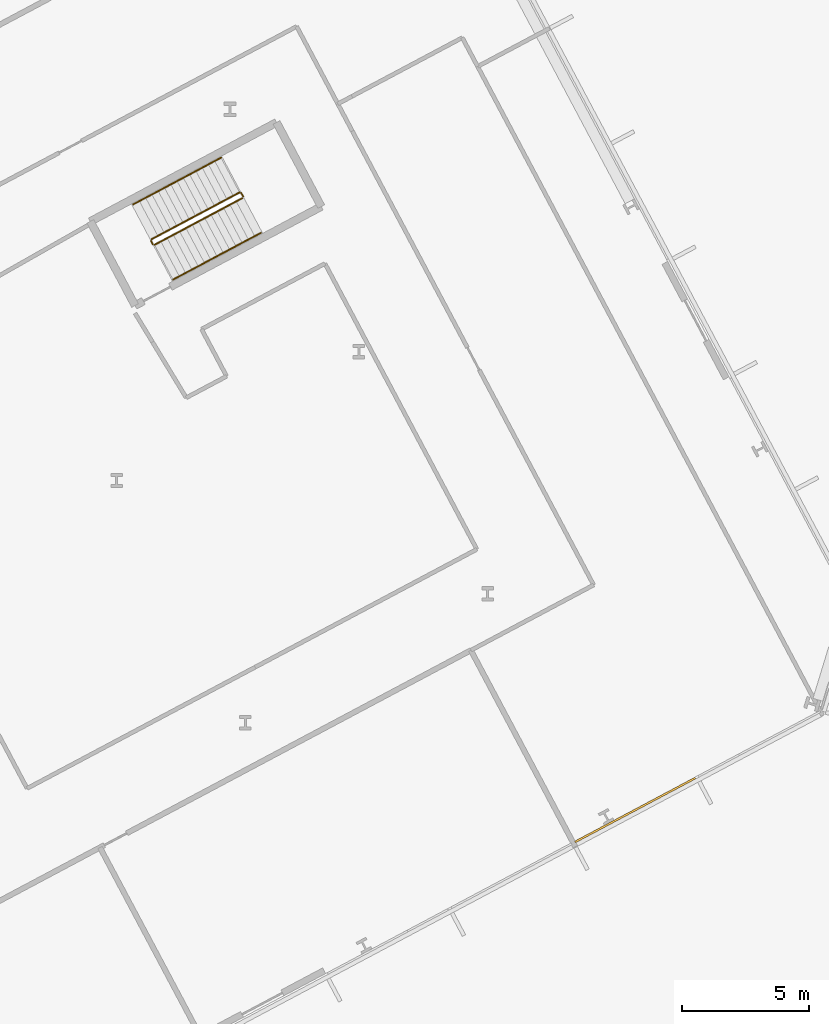
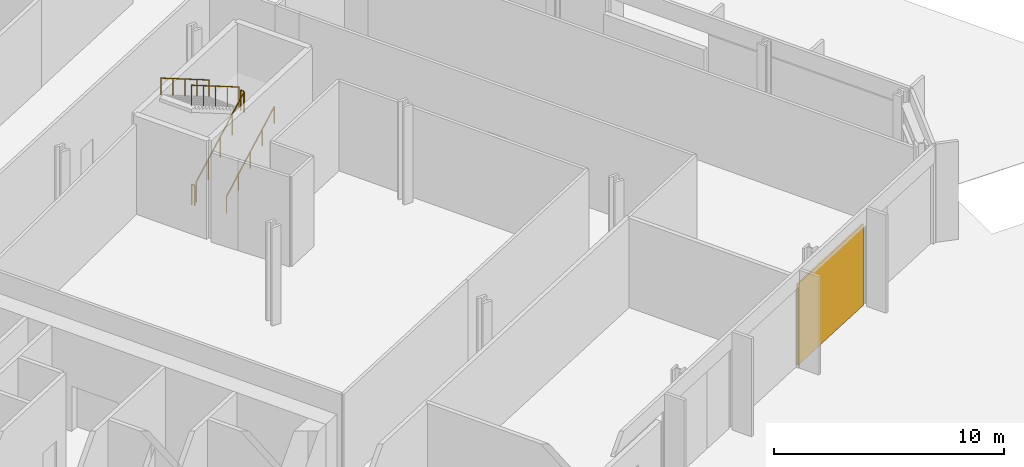
# One storey, part 29 of 30: 6 railings, 1 covering, 1 element without a shape of its own.
"""IFC4 building model written with IfcOpenShell, lengths in metres."""

from ifc_helpers import new_model, si_unit, direction, frame, origin, origin_2d, place, context, subcontext, project, spatial, polyline, rectangle, outline, extrude, material, layer, layer_set, type_object, element, aggregate, save


model = new_model("IFC4")

# Units and contexts
model_context = context("Model", 3, precision=1e-05, world=origin(), true_north=direction((0.0, 1.0)))
body_context = subcontext(model_context, "Body", "Model", "MODEL_VIEW")
ifc_project = project(units=[si_unit("LENGTHUNIT", "METRE"), si_unit("AREAUNIT", "SQUARE_METRE"), si_unit("VOLUMEUNIT", "CUBIC_METRE"), si_unit("PLANEANGLEUNIT", "RADIAN"), si_unit("MASSUNIT", "GRAM", prefix="KILO")], contexts=[model_context])

# Site, building, storey
site_placement = place(None, origin())
site = spatial("IfcSite", under=ifc_project, at=site_placement, CompositionType="ELEMENT")
building_placement = place(site_placement, origin())
building = spatial("IfcBuilding", under=site, at=building_placement, Name="Cormorant Relay Tower", CompositionType="ELEMENT")
storey_placement = place(building_placement, frame((0.0, 0.0, 7.0)))
storey = spatial("IfcBuildingStorey", under=building, at=storey_placement, Name="L01", CompositionType="ELEMENT", Elevation=7.0)

# Curtain wall, covering
ifc_material_1 = material(Name="Aluminium 6063-T6 anodised bronze", Category="aluminium")
ifc_layer_1 = layer(ifc_material_1, 0.235107421875)
ifc_layer_set_1 = layer_set([ifc_layer_1], Name="CW6 data hall curtain wall with mineral wool panels")
curtain_wall_type = type_object("IfcCurtainWallType", Name="CW6 data hall curtain wall with mineral wool panels", PredefinedType="NOTDEFINED", material=ifc_layer_set_1)
curtain_wall_placement = place(storey_placement, origin())
curtain_wall = element("IfcCurtainWall", 1, at=curtain_wall_placement, inside=storey, type_object=curtain_wall_type, Name="CW6 curtain wall 2", PredefinedType="NOTDEFINED")
ifc_material_2 = material(Name="Mineral wool cored anodised bronze aluminium cassette panel", Category="aluminium")
ifc_layer_2 = layer(ifc_material_2, 0.074951171875)
ifc_layer_set_2 = layer_set([ifc_layer_2], Name="CW6 mineral wool cassette panel 75")
covering_type = type_object("IfcCoveringType", Name="CW6 mineral wool cassette panel 75", PredefinedType="CLADDING", material=ifc_layer_set_2)
covering_placement = place(storey_placement, frame((63.5, 9.93701171875, 0.0), z_axis=(0.0, 0.0, 1.0), x_axis=(0.882947592859, 0.469471562786, 0.0)))
covering = element("IfcCovering", 2, at=covering_placement, type_object=covering_type, Name="CW6 panel S13", PredefinedType="CLADDING", context=body_context, shape_type="SweptSolid", body=[
    extrude(rectangle(XDim=5.36181640625, YDim=0.074951171875, at=origin_2d()), origin(), (0.0, 0.0, 1.0), 4.300048828125),
])
aggregate(curtain_wall, [covering])

# Railings
ifc_material_3 = material(Name="Steel ASTM A572 Grade 50 (Fy 345 MPa)", Category="steel")
railing_type_1 = type_object("IfcRailingType", Name="Stair guard 1100", PredefinedType="GUARDRAIL", material=ifc_material_3)
railing_1_placement = place(storey_placement, frame((44.583740234375, 32.186279296875, 0.17333984375)))
element("IfcRailing", 3, at=railing_1_placement, inside=storey, type_object=railing_type_1, Name="L01 RB1 stair guard 1", PredefinedType="GUARDRAIL", context=body_context, shape_type="SweptSolid", body=[
    extrude(outline(polyline([(0.022216796875, 0.00927734375), (0.00927734375, 0.022216796875), (-0.00927734375, 0.022216796875), (-0.022216796875, 0.00927734375), (-0.022216796875, -0.00927734375), (-0.00927734375, -0.022216796875), (0.00927734375, -0.022216796875), (0.022216796875, -0.00927734375), (0.022216796875, 0.00927734375)])), frame((0.0, 0.0, 1.076171875), z_axis=(0.750734087475, 0.399170032545, 0.526366426571), x_axis=(-0.469469396681, 0.882948744594, 0.0)), (0.0, 0.0, 1.0), 4.6103515625),
    extrude(outline(polyline([(0.019287109375, 0.008056640625), (0.008056640625, 0.019287109375), (-0.008056640625, 0.019287109375), (-0.019287109375, 0.008056640625), (-0.019287109375, -0.008056640625), (-0.008056640625, -0.019287109375), (0.008056640625, -0.019287109375), (0.019287109375, -0.008056640625), (0.019287109375, 0.008056640625)])), origin(), (0.0, 0.0, 1.0), 1.052001953125),
    extrude(outline(polyline([(0.019287109375, 0.008056640625), (0.008056640625, 0.019287109375), (-0.008056640625, 0.019287109375), (-0.019287109375, 0.008056640625), (-0.019287109375, -0.008056640625), (-0.008056640625, -0.019287109375), (0.008056640625, -0.019287109375), (0.019287109375, -0.008056640625), (0.019287109375, 0.008056640625)])), frame((0.865234375, 0.4599609375, 0.606689453125)), (0.0, 0.0, 1.0), 1.052001953125),
    extrude(outline(polyline([(0.019287109375, 0.008056640625), (0.008056640625, 0.019287109375), (-0.008056640625, 0.019287109375), (-0.019287109375, 0.008056640625), (-0.019287109375, -0.008056640625), (-0.008056640625, -0.019287109375), (0.008056640625, -0.019287109375), (0.019287109375, -0.008056640625), (0.019287109375, 0.008056640625)])), frame((1.73046875, 0.920166015625, 1.21337890625)), (0.0, 0.0, 1.0), 1.052001953125),
    extrude(outline(polyline([(0.019287109375, 0.008056640625), (0.008056640625, 0.019287109375), (-0.008056640625, 0.019287109375), (-0.019287109375, 0.008056640625), (-0.019287109375, -0.008056640625), (-0.008056640625, -0.019287109375), (0.008056640625, -0.019287109375), (0.019287109375, -0.008056640625), (0.019287109375, 0.008056640625)])), frame((2.595947265625, 1.38037109375, 1.820068359375)), (0.0, 0.0, 1.0), 1.052001953125),
    extrude(outline(polyline([(0.019287109375, 0.008056640625), (0.008056640625, 0.019287109375), (-0.008056640625, 0.019287109375), (-0.019287109375, 0.008056640625), (-0.019287109375, -0.008056640625), (-0.008056640625, -0.019287109375), (0.008056640625, -0.019287109375), (0.019287109375, -0.008056640625), (0.019287109375, 0.008056640625)])), frame((3.461181640625, 1.84033203125, 2.4267578125)), (0.0, 0.0, 1.0), 1.052001953125),
])
railing_2_placement = place(storey_placement, frame((48.065673828125, 34.09423828125, 2.60009765625)))
element("IfcRailing", 4, at=railing_2_placement, inside=storey, type_object=railing_type_1, Name="L01 RB1 stair guard 2", PredefinedType="GUARDRAIL", context=body_context, shape_type="SweptSolid", body=[
    extrude(outline(polyline([(0.022216796875, 0.00927734375), (0.00927734375, 0.022216796875), (-0.00927734375, 0.022216796875), (-0.022216796875, 0.00927734375), (-0.022216796875, -0.00927734375), (-0.00927734375, -0.022216796875), (0.00927734375, -0.022216796875), (0.022216796875, -0.00927734375), (0.022216796875, 0.00927734375)])), frame((0.0, 0.0, 1.076171875), z_axis=(-0.469828648786, 0.882757634224, 0.0), x_axis=(-0.882757634224, -0.469828648786, 0.0)), (0.0, 0.0, 1.0), 0.150146484375),
    extrude(outline(polyline([(0.019287109375, 0.008056640625), (0.008056640625, 0.019287109375), (-0.008056640625, 0.019287109375), (-0.019287109375, 0.008056640625), (-0.019287109375, -0.008056640625), (-0.008056640625, -0.019287109375), (0.008056640625, -0.019287109375), (0.019287109375, -0.008056640625), (0.019287109375, 0.008056640625)])), origin(), (0.0, 0.0, 1.0), 1.052001953125),
    extrude(outline(polyline([(0.019287109375, 0.008056640625), (0.008056640625, 0.019287109375), (-0.008056640625, 0.019287109375), (-0.019287109375, 0.008056640625), (-0.019287109375, -0.008056640625), (-0.008056640625, -0.019287109375), (0.008056640625, -0.019287109375), (0.019287109375, -0.008056640625), (0.019287109375, 0.008056640625)])), frame((-0.070556640625, 0.132568359375, 0.0)), (0.0, 0.0, 1.0), 1.052001953125),
])
railing_3_placement = place(storey_placement, frame((47.927490234375, 34.24755859375, 2.7734375)))
element("IfcRailing", 5, at=railing_3_placement, inside=storey, type_object=railing_type_1, Name="L01 RB1 stair guard 3", PredefinedType="GUARDRAIL", context=body_context, shape_type="SweptSolid", body=[
    extrude(outline(polyline([(0.022216796875, 0.00927734375), (0.00927734375, 0.022216796875), (-0.00927734375, 0.022216796875), (-0.022216796875, 0.00927734375), (-0.022216796875, -0.00927734375), (-0.00927734375, -0.022216796875), (0.00927734375, -0.022216796875), (0.022216796875, -0.00927734375), (0.022216796875, 0.00927734375)])), frame((0.0, 0.0, 1.076171875), z_axis=(-0.75075501281, -0.399181158677, 0.526328142225), x_axis=(0.469469396681, -0.882948744594, 0.0)), (0.0, 0.0, 1.0), 4.6103515625),
    extrude(outline(polyline([(0.019287109375, 0.008056640625), (0.008056640625, 0.019287109375), (-0.008056640625, 0.019287109375), (-0.019287109375, 0.008056640625), (-0.019287109375, -0.008056640625), (-0.008056640625, -0.019287109375), (0.008056640625, -0.019287109375), (0.019287109375, -0.008056640625), (0.019287109375, 0.008056640625)])), origin(), (0.0, 0.0, 1.0), 1.052001953125),
    extrude(outline(polyline([(0.019287109375, 0.008056640625), (0.008056640625, 0.019287109375), (-0.008056640625, 0.019287109375), (-0.019287109375, 0.008056640625), (-0.019287109375, -0.008056640625), (-0.008056640625, -0.019287109375), (0.008056640625, -0.019287109375), (0.019287109375, -0.008056640625), (0.019287109375, 0.008056640625)])), frame((-0.865234375, -0.4599609375, 0.606689453125)), (0.0, 0.0, 1.0), 1.052001953125),
    extrude(outline(polyline([(0.019287109375, 0.008056640625), (0.008056640625, 0.019287109375), (-0.008056640625, 0.019287109375), (-0.019287109375, 0.008056640625), (-0.019287109375, -0.008056640625), (-0.008056640625, -0.019287109375), (0.008056640625, -0.019287109375), (0.019287109375, -0.008056640625), (0.019287109375, 0.008056640625)])), frame((-1.73046875, -0.920166015625, 1.21337890625)), (0.0, 0.0, 1.0), 1.052001953125),
    extrude(outline(polyline([(0.019287109375, 0.008056640625), (0.008056640625, 0.019287109375), (-0.008056640625, 0.019287109375), (-0.019287109375, 0.008056640625), (-0.019287109375, -0.008056640625), (-0.008056640625, -0.019287109375), (0.008056640625, -0.019287109375), (0.019287109375, -0.008056640625), (0.019287109375, 0.008056640625)])), frame((-2.595947265625, -1.38037109375, 1.81982421875)), (0.0, 0.0, 1.0), 1.052001953125),
    extrude(outline(polyline([(0.019287109375, 0.008056640625), (0.008056640625, 0.019287109375), (-0.008056640625, 0.019287109375), (-0.019287109375, 0.008056640625), (-0.019287109375, -0.008056640625), (-0.008056640625, -0.019287109375), (0.008056640625, -0.019287109375), (0.019287109375, -0.008056640625), (0.019287109375, 0.008056640625)])), frame((-3.461181640625, -1.84033203125, 2.426513671875)), (0.0, 0.0, 1.0), 1.052001953125),
])
railing_4_placement = place(storey_placement, frame((44.51611328125, 32.20703125, 0.0)))
element("IfcRailing", 6, at=railing_4_placement, inside=storey, type_object=railing_type_1, Name="L01 RB1 stair guard 4", PredefinedType="GUARDRAIL", context=body_context, shape_type="SweptSolid", body=[
    extrude(outline(polyline([(0.022216796875, 0.00927734375), (0.00927734375, 0.022216796875), (-0.00927734375, 0.022216796875), (-0.022216796875, 0.00927734375), (-0.022216796875, -0.00927734375), (-0.00927734375, -0.022216796875), (0.00927734375, -0.022216796875), (0.022216796875, -0.00927734375), (0.022216796875, 0.00927734375)])), frame((0.0, 0.0, 1.076171875), z_axis=(-0.46856034887, 0.8834314911, 0.0), x_axis=(-0.8834314911, -0.46856034887, 0.0)), (0.0, 0.0, 1.0), 0.150146484375),
    extrude(outline(polyline([(0.019287109375, 0.008056640625), (0.008056640625, 0.019287109375), (-0.008056640625, 0.019287109375), (-0.019287109375, 0.008056640625), (-0.019287109375, -0.008056640625), (-0.008056640625, -0.019287109375), (0.008056640625, -0.019287109375), (0.019287109375, -0.008056640625), (0.019287109375, 0.008056640625)])), origin(), (0.0, 0.0, 1.0), 1.052001953125),
    extrude(outline(polyline([(0.019287109375, 0.008056640625), (0.008056640625, 0.019287109375), (-0.008056640625, 0.019287109375), (-0.019287109375, 0.008056640625), (-0.019287109375, -0.008056640625), (-0.008056640625, -0.019287109375), (0.008056640625, -0.019287109375), (0.019287109375, -0.008056640625), (0.019287109375, 0.008056640625)])), frame((-0.0703125, 0.132568359375, 0.0)), (0.0, 0.0, 1.0), 1.052001953125),
])
ifc_material_4 = material(Name="Steel ASTM A572 Grade 50 (Fy 345 MPa)", Category="steel")
railing_type_2 = type_object("IfcRailingType", Name="Stair handrail 900", PredefinedType="HANDRAIL", material=ifc_material_4)
railing_5_placement = place(storey_placement, frame((45.3115234375, 30.81787109375, 0.17333984375)))
element("IfcRailing", 7, at=railing_5_placement, inside=storey, type_object=railing_type_2, Name="L01 RB1 stair handrail 1", PredefinedType="HANDRAIL", context=body_context, shape_type="SweptSolid", body=[
    extrude(outline(polyline([(0.022216796875, 0.00927734375), (0.00927734375, 0.022216796875), (-0.00927734375, 0.022216796875), (-0.022216796875, 0.00927734375), (-0.022216796875, -0.00927734375), (-0.00927734375, -0.022216796875), (0.00927734375, -0.022216796875), (0.022216796875, -0.00927734375), (0.022216796875, 0.00927734375)])), frame((0.0, 0.0, 0.8759765625), z_axis=(0.750734087475, 0.399170032545, 0.526366426571), x_axis=(-0.469469396681, 0.882948744594, 0.0)), (0.0, 0.0, 1.0), 4.6103515625),
    extrude(outline(polyline([(0.019287109375, 0.008056640625), (0.008056640625, 0.019287109375), (-0.008056640625, 0.019287109375), (-0.019287109375, 0.008056640625), (-0.019287109375, -0.008056640625), (-0.008056640625, -0.019287109375), (0.008056640625, -0.019287109375), (0.019287109375, -0.008056640625), (0.019287109375, 0.008056640625)])), origin(), (0.0, 0.0, 1.0), 0.851806640625),
    extrude(outline(polyline([(0.019287109375, 0.008056640625), (0.008056640625, 0.019287109375), (-0.008056640625, 0.019287109375), (-0.019287109375, 0.008056640625), (-0.019287109375, -0.008056640625), (-0.008056640625, -0.019287109375), (0.008056640625, -0.019287109375), (0.019287109375, -0.008056640625), (0.019287109375, 0.008056640625)])), frame((0.865234375, 0.4599609375, 0.606689453125)), (0.0, 0.0, 1.0), 0.851806640625),
    extrude(outline(polyline([(0.019287109375, 0.008056640625), (0.008056640625, 0.019287109375), (-0.008056640625, 0.019287109375), (-0.019287109375, 0.008056640625), (-0.019287109375, -0.008056640625), (-0.008056640625, -0.019287109375), (0.008056640625, -0.019287109375), (0.019287109375, -0.008056640625), (0.019287109375, 0.008056640625)])), frame((1.73046875, 0.920166015625, 1.21337890625)), (0.0, 0.0, 1.0), 0.851806640625),
    extrude(outline(polyline([(0.019287109375, 0.008056640625), (0.008056640625, 0.019287109375), (-0.008056640625, 0.019287109375), (-0.019287109375, 0.008056640625), (-0.019287109375, -0.008056640625), (-0.008056640625, -0.019287109375), (0.008056640625, -0.019287109375), (0.019287109375, -0.008056640625), (0.019287109375, 0.008056640625)])), frame((2.595947265625, 1.38037109375, 1.820068359375)), (0.0, 0.0, 1.0), 0.851806640625),
    extrude(outline(polyline([(0.019287109375, 0.008056640625), (0.008056640625, 0.019287109375), (-0.008056640625, 0.019287109375), (-0.019287109375, 0.008056640625), (-0.019287109375, -0.008056640625), (-0.008056640625, -0.019287109375), (0.008056640625, -0.019287109375), (0.019287109375, -0.008056640625), (0.019287109375, 0.008056640625)])), frame((3.461181640625, 1.84033203125, 2.4267578125)), (0.0, 0.0, 1.0), 0.851806640625),
])
railing_6_placement = place(storey_placement, frame((47.199951171875, 35.615966796875, 2.7734375)))
element("IfcRailing", 8, at=railing_6_placement, inside=storey, type_object=railing_type_2, Name="L01 RB1 stair handrail 2", PredefinedType="HANDRAIL", context=body_context, shape_type="SweptSolid", body=[
    extrude(outline(polyline([(0.022216796875, 0.00927734375), (0.00927734375, 0.022216796875), (-0.00927734375, 0.022216796875), (-0.022216796875, 0.00927734375), (-0.022216796875, -0.00927734375), (-0.00927734375, -0.022216796875), (0.00927734375, -0.022216796875), (0.022216796875, -0.00927734375), (0.022216796875, 0.00927734375)])), frame((0.0, 0.0, 0.8759765625), z_axis=(-0.75075501281, -0.399181158677, 0.526328142225), x_axis=(0.469469396681, -0.882948744594, 0.0)), (0.0, 0.0, 1.0), 4.6103515625),
    extrude(outline(polyline([(0.019287109375, 0.008056640625), (0.008056640625, 0.019287109375), (-0.008056640625, 0.019287109375), (-0.019287109375, 0.008056640625), (-0.019287109375, -0.008056640625), (-0.008056640625, -0.019287109375), (0.008056640625, -0.019287109375), (0.019287109375, -0.008056640625), (0.019287109375, 0.008056640625)])), origin(), (0.0, 0.0, 1.0), 0.851806640625),
    extrude(outline(polyline([(0.019287109375, 0.008056640625), (0.008056640625, 0.019287109375), (-0.008056640625, 0.019287109375), (-0.019287109375, 0.008056640625), (-0.019287109375, -0.008056640625), (-0.008056640625, -0.019287109375), (0.008056640625, -0.019287109375), (0.019287109375, -0.008056640625), (0.019287109375, 0.008056640625)])), frame((-0.865234375, -0.4599609375, 0.606689453125)), (0.0, 0.0, 1.0), 0.851806640625),
    extrude(outline(polyline([(0.019287109375, 0.008056640625), (0.008056640625, 0.019287109375), (-0.008056640625, 0.019287109375), (-0.019287109375, 0.008056640625), (-0.019287109375, -0.008056640625), (-0.008056640625, -0.019287109375), (0.008056640625, -0.019287109375), (0.019287109375, -0.008056640625), (0.019287109375, 0.008056640625)])), frame((-1.73046875, -0.920166015625, 1.21337890625)), (0.0, 0.0, 1.0), 0.851806640625),
    extrude(outline(polyline([(0.019287109375, 0.008056640625), (0.008056640625, 0.019287109375), (-0.008056640625, 0.019287109375), (-0.019287109375, 0.008056640625), (-0.019287109375, -0.008056640625), (-0.008056640625, -0.019287109375), (0.008056640625, -0.019287109375), (0.019287109375, -0.008056640625), (0.019287109375, 0.008056640625)])), frame((-2.595947265625, -1.38037109375, 1.81982421875)), (0.0, 0.0, 1.0), 0.851806640625),
    extrude(outline(polyline([(0.019287109375, 0.008056640625), (0.008056640625, 0.019287109375), (-0.008056640625, 0.019287109375), (-0.019287109375, 0.008056640625), (-0.019287109375, -0.008056640625), (-0.008056640625, -0.019287109375), (0.008056640625, -0.019287109375), (0.019287109375, -0.008056640625), (0.019287109375, 0.008056640625)])), frame((-3.461181640625, -1.84033203125, 2.426513671875)), (0.0, 0.0, 1.0), 0.851806640625),
])

save(model, "model.ifc")
